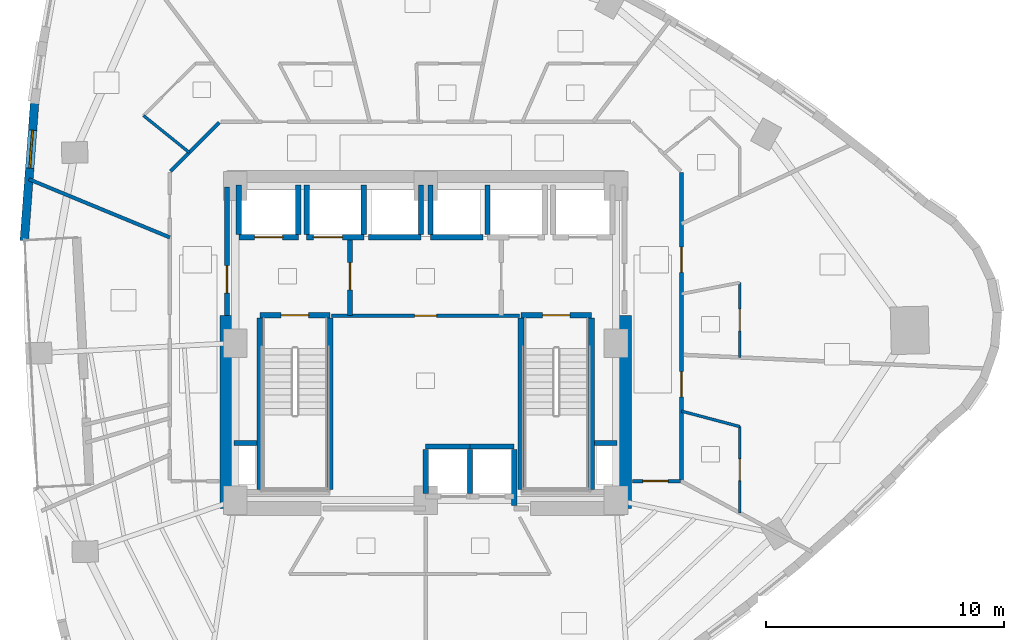
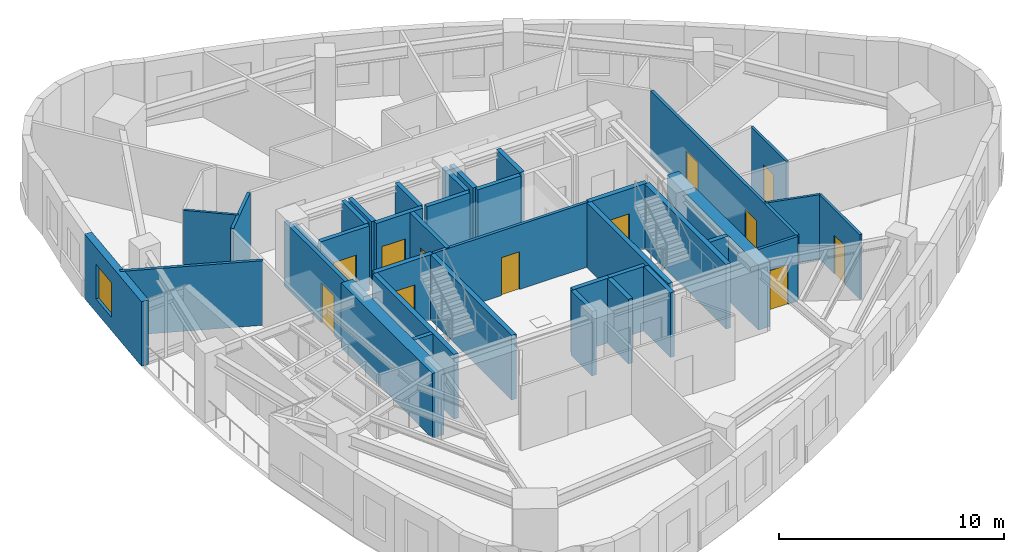
# One storey, part 6 of 12: 38 walls, 12 doors, 1 window, 13 openings.
"""IFC4 building model written with IfcOpenShell, lengths in metres."""

from ifc_helpers import new_model, si_unit, direction, frame, frame_2d, origin, place, context, subcontext, project, spatial, rectangle, extrude, material, layer, layer_set, type_object, element, fill, save


model = new_model("IFC4")

# Units and contexts
model_context = context("Model", 3, precision=1e-05, world=origin(), true_north=direction((0.0, 1.0)))
body_context = subcontext(model_context, "Body", "Model", "MODEL_VIEW")
ifc_project = project(units=[si_unit("LENGTHUNIT", "METRE"), si_unit("AREAUNIT", "SQUARE_METRE"), si_unit("VOLUMEUNIT", "CUBIC_METRE"), si_unit("PLANEANGLEUNIT", "RADIAN"), si_unit("MASSUNIT", "GRAM", prefix="KILO")], contexts=[model_context])

# Site, building, storey
site_placement = place(None, origin())
site = spatial("IfcSite", under=ifc_project, at=site_placement, CompositionType="ELEMENT")
building_placement = place(site_placement, origin())
building = spatial("IfcBuilding", under=site, at=building_placement, Name="Ndelora Gate Hotel", CompositionType="ELEMENT")
storey_placement = place(building_placement, frame((0.0, 0.0, 138.5)))
storey = spatial("IfcBuildingStorey", under=building, at=storey_placement, Name="L34", CompositionType="ELEMENT", Elevation=138.5)

# Wall, opening, window
ifc_material_1 = material(Name="Clay Brick Masonry", Category="masonry")
ifc_layer_1 = layer(ifc_material_1, 0.360107421875)
ifc_layer_set_1 = layer_set([ifc_layer_1], Name="Clay Brick Masonry")
wall_type_1 = type_object("IfcWallType", Name="WL-BRICK-360", PredefinedType="SOLIDWALL", material=ifc_layer_set_1)
wall_1_placement = place(storey_placement, frame((-16.866943359375, 4.29833984375, 0.0), z_axis=(0.0, 0.0, 1.0), x_axis=(0.074873276991, 0.997193056731, 0.0)))
wall_1 = element("IfcWall", 1, at=wall_1_placement, inside=storey, type_object=wall_type_1, Name="L34 Tower Brick Pier-and-Spandrel Wall TWR-11", PredefinedType="SOLIDWALL", context=body_context, shape_type="SweptSolid", body=[
    extrude(rectangle(XDim=5.826904296875, YDim=0.360107421875, at=frame_2d((2.91357421875, 0.0))), origin(), (0.0, 0.0, 1.0), 3.5),
])
opening_1_placement = place(wall_1_placement, frame((3.06005859375, 0.0, 0.719970703125)))
opening_1 = element("IfcOpeningElement", 2, at=opening_1_placement, cuts=wall_1, Name="Opening W01", PredefinedType="OPENING", context=body_context, shape_type="SweptSolid", body=[
    extrude(rectangle(XDim=1.60009765625, YDim=1.8798828125, at=frame_2d((0.800048828125, 0.93994140625))), frame((0.0, 0.18994140625, 0.0), z_axis=(0.0, -1.0, 0.0), x_axis=(1.0, 0.0, 0.0)), (0.0, 0.0, 1.0), 0.380126953125),
])
ifc_material_2 = material(Name="Insulated Low-E Double Glazing in Bronze Aluminium Frame", Category="aluminium")
window_type = type_object("IfcWindowType", Name="WN-DEEP-1600", PartitioningType="SINGLE_PANEL", PredefinedType="WINDOW", material=ifc_material_2)
window_placement = place(opening_1_placement, origin())
window = element("IfcWindow", 3, at=window_placement, inside=storey, type_object=window_type, Name="L34 Deep-Set Brick-Pier Window W01", OverallHeight=1.8798828125, OverallWidth=1.60009765625, PartitioningType="SINGLE_PANEL", PredefinedType="WINDOW", context=body_context, shape_type="SweptSolid", body=[
    extrude(rectangle(XDim=1.60009765625, YDim=1.8798828125, at=frame_2d((0.800048828125, 0.93994140625))), frame((0.0, 0.030029296875, 0.0), z_axis=(0.0, -1.0, 0.0), x_axis=(1.0, 0.0, 0.0)), (0.0, 0.0, 1.0), 0.06005859375),
])
fill(opening_1, window)

# Walls
ifc_material_3 = material(Name="Concrete C60/75", Category="concrete")
ifc_layer_2 = layer(ifc_material_3, 0.60009765625)
ifc_layer_set_2 = layer_set([ifc_layer_2], Name="Concrete C60/75")
wall_type_2 = type_object("IfcWallType", Name="WL-CORE-600", PredefinedType="SHEAR", material=ifc_layer_set_2)
for number, where, z_axis, x_axis, name in (
    (4, (-8.35009765625, -6.949951171875, 0.0), (0.0, 0.0, 1.0), (0.0, 1.0, 0.0), "L34 Core Shear Wall W"),
    (5, (8.35009765625, -6.949951171875, 0.0), (0.0, 0.0, 1.0), (0.0, 1.0, 0.0), "L34 Core Shear Wall E"),
):
    element("IfcWall", number, at=place(storey_placement, frame(where, z_axis=z_axis, x_axis=x_axis)), inside=storey, type_object=wall_type_2, Name=name, PredefinedType="SHEAR", context=body_context, shape_type="SweptSolid", body=[
        extrude(rectangle(XDim=8.099853515625, YDim=0.60009765625, at=frame_2d((4.0498046875, 0.0))), origin(), (0.0, 0.0, 1.0), 3.5),
    ])

# Wall, opening, door
ifc_material_4 = material(Name="Concrete C40/50", Category="concrete")
ifc_layer_3 = layer(ifc_material_4, 0.199951171875)
ifc_layer_set_3 = layer_set([ifc_layer_3], Name="Concrete C40/50")
wall_type_3 = type_object("IfcWallType", Name="WL-FIRE-200", PredefinedType="PARTITIONING", material=ifc_layer_set_3)
wall_2_placement = place(storey_placement, frame((-3.179931640625, 1.14990234375, 0.0), z_axis=(0.0, 0.0, 1.0), x_axis=(0.0, 1.0, 0.0)))
wall_2 = element("IfcWall", 6, at=wall_2_placement, inside=storey, type_object=wall_type_3, Name="L34 Interior Wall IW-2", PredefinedType="PARTITIONING", context=body_context, shape_type="SweptSolid", body=[
    extrude(rectangle(XDim=3.300048828125, YDim=0.199951171875, at=frame_2d((1.64990234375, 0.0))), origin(), (0.0, 0.0, 1.0), 3.5),
])
opening_2_placement = place(wall_2_placement, frame((1.080078125, 0.0, 0.0)))
opening_2 = element("IfcOpeningElement", 7, at=opening_2_placement, cuts=wall_2, Name="Opening FD1", PredefinedType="OPENING", context=body_context, shape_type="SweptSolid", body=[
    extrude(rectangle(XDim=1.14990234375, YDim=2.14990234375, at=frame_2d((0.574951171875, 1.074951171875))), frame((0.0, 0.10986328125, 0.0), z_axis=(0.0, -1.0, 0.0), x_axis=(1.0, 0.0, 0.0)), (0.0, 0.0, 1.0), 0.219970703125),
])
ifc_material_5 = material(Name="Fire-Rated Timber-Veneer Steel Core", Category="steel")
door_type_1 = type_object("IfcDoorType", Name="DR-FD60", OperationType="SINGLE_SWING_LEFT", PredefinedType="DOOR", material=ifc_material_5)
door_1_placement = place(opening_2_placement, origin())
door_1 = element("IfcDoor", 8, at=door_1_placement, inside=storey, type_object=door_type_1, Name="L34 Firefighting Lobby West Door", OperationType="SINGLE_SWING_RIGHT", OverallHeight=2.14990234375, OverallWidth=1.14990234375, PredefinedType="DOOR", context=body_context, shape_type="SweptSolid", body=[
    extrude(rectangle(XDim=1.14990234375, YDim=2.14990234375, at=frame_2d((0.574951171875, 1.074951171875))), frame((0.0, 0.02490234375, 0.0), z_axis=(0.0, -1.0, 0.0), x_axis=(1.0, 0.0, 0.0)), (0.0, 0.0, 1.0), 0.050048828125),
])
fill(opening_2, door_1)

wall_3_placement = place(storey_placement, frame((-8.35009765625, 1.14990234375, 0.0), z_axis=(0.0, 0.0, 1.0), x_axis=(0.0, 1.0, 0.0)))
wall_3 = element("IfcWall", 9, at=wall_3_placement, inside=storey, type_object=wall_type_3, Name="L34 Interior Wall IW-2", PredefinedType="PARTITIONING", context=body_context, shape_type="SweptSolid", body=[
    extrude(rectangle(XDim=5.400146484375, YDim=0.199951171875, at=frame_2d((2.7001953125, 0.0))), origin(), (0.0, 0.0, 1.0), 3.5),
])
opening_3_placement = place(wall_3_placement, frame((0.949951171875, 0.0, 0.0)))
opening_3 = element("IfcOpeningElement", 10, at=opening_3_placement, cuts=wall_3, Name="Opening FD1", PredefinedType="OPENING", context=body_context, shape_type="SweptSolid", body=[
    extrude(rectangle(XDim=1.14990234375, YDim=2.14990234375, at=frame_2d((0.574951171875, 1.074951171875))), frame((0.0, 0.10986328125, 0.0), z_axis=(0.0, -1.0, 0.0), x_axis=(1.0, 0.0, 0.0)), (0.0, 0.0, 1.0), 0.219970703125),
])
door_2_placement = place(opening_3_placement, origin())
door_2 = element("IfcDoor", 11, at=door_2_placement, inside=storey, type_object=door_type_1, Name="L34 Firefighting Lobby West Corridor Door", OperationType="SINGLE_SWING_LEFT", OverallHeight=2.14990234375, OverallWidth=1.14990234375, PredefinedType="DOOR", context=body_context, shape_type="SweptSolid", body=[
    extrude(rectangle(XDim=1.14990234375, YDim=2.14990234375, at=frame_2d((0.574951171875, 1.074951171875))), frame((0.0, 0.02490234375, 0.0), z_axis=(0.0, -1.0, 0.0), x_axis=(1.0, 0.0, 0.0)), (0.0, 0.0, 1.0), 0.050048828125),
])
fill(opening_3, door_2)

ifc_material_6 = material(Name="Fire-Rated Gypsum Stud Partition", Category="gypsum")
ifc_layer_4 = layer(ifc_material_6, 0.14990234375)
ifc_layer_set_4 = layer_set([ifc_layer_4], Name="Fire-Rated Gypsum Stud Partition")
wall_type_4 = type_object("IfcWallType", Name="WL-PART-150", PredefinedType="PARTITIONING", material=ifc_layer_set_4)
wall_4_placement = place(storey_placement, frame((3.949951171875, 1.14990234375, 0.0), z_axis=(0.0, 0.0, 1.0), x_axis=(-1.0, 0.0, 0.0)))
wall_4 = element("IfcWall", 12, at=wall_4_placement, inside=storey, type_object=wall_type_4, Name="L34 Interior Wall IW-5", PredefinedType="PARTITIONING", context=body_context, shape_type="SweptSolid", body=[
    extrude(rectangle(XDim=7.89990234375, YDim=0.14990234375, at=frame_2d((3.949951171875, 0.0))), origin(), (0.0, 0.0, 1.0), 3.5),
])
opening_4_placement = place(wall_4_placement, frame((3.489990234375, 0.0, 0.0)))
opening_4 = element("IfcOpeningElement", 13, at=opening_4_placement, cuts=wall_4, Name="Opening D04", PredefinedType="OPENING", context=body_context, shape_type="SweptSolid", body=[
    extrude(rectangle(XDim=0.919921875, YDim=2.050048828125, at=frame_2d((0.4599609375, 1.02490234375))), frame((0.0, 0.0849609375, 0.0), z_axis=(0.0, -1.0, 0.0), x_axis=(1.0, 0.0, 0.0)), (0.0, 0.0, 1.0), 0.169921875),
])
ifc_material_7 = material(Name="Painted Steel Core Service Door", Category="steel")
door_type_2 = type_object("IfcDoorType", Name="DR-SER-920", OperationType="SINGLE_SWING_LEFT", PredefinedType="DOOR", material=ifc_material_7)
door_3_placement = place(opening_4_placement, origin())
door_3 = element("IfcDoor", 14, at=door_3_placement, inside=storey, type_object=door_type_2, Name="L34 Core Electrical and Linen Service Store Door", OperationType="SINGLE_SWING_LEFT", OverallHeight=2.050048828125, OverallWidth=0.919921875, PredefinedType="DOOR", context=body_context, shape_type="SweptSolid", body=[
    extrude(rectangle(XDim=0.919921875, YDim=2.050048828125, at=frame_2d((0.4599609375, 1.02490234375))), frame((0.0, 0.02490234375, 0.0), z_axis=(0.0, -1.0, 0.0), x_axis=(1.0, 0.0, 0.0)), (0.0, 0.0, 1.0), 0.050048828125),
])
fill(opening_4, door_3)

wall_5_placement = place(storey_placement, frame((10.7099609375, -5.800048828125, 0.0), z_axis=(0.0, 0.0, 1.0), x_axis=(-1.0, 0.0, 0.0)))
wall_5 = element("IfcWall", 15, at=wall_5_placement, inside=storey, type_object=wall_type_4, Name="L34 Interior Wall IW-5", PredefinedType="PARTITIONING", context=body_context, shape_type="SweptSolid", body=[
    extrude(rectangle(XDim=2.02001953125, YDim=0.14990234375, at=frame_2d((1.010009765625, 0.0))), origin(), (0.0, 0.0, 1.0), 3.5),
])
opening_5_placement = place(wall_5_placement, frame((0.52001953125, 0.0, 0.0)))
opening_5 = element("IfcOpeningElement", 16, at=opening_5_placement, cuts=wall_5, Name="Opening D07", PredefinedType="OPENING", context=body_context, shape_type="SweptSolid", body=[
    extrude(rectangle(XDim=1.06005859375, YDim=2.14990234375, at=frame_2d((0.530029296875, 1.074951171875))), frame((0.0, 0.0849609375, 0.0), z_axis=(0.0, -1.0, 0.0), x_axis=(1.0, 0.0, 0.0)), (0.0, 0.0, 1.0), 0.169921875),
])
ifc_material_8 = material(Name="Diplomatic Suite Acoustic Entrance Door", Category="wood")
door_type_3 = type_object("IfcDoorType", Name="DR-SUITE-1060", OperationType="SINGLE_SWING_LEFT", PredefinedType="DOOR", material=ifc_material_8)
door_4_placement = place(opening_5_placement, origin())
door_4 = element("IfcDoor", 17, at=door_4_placement, inside=storey, type_object=door_type_3, Name="L34 Club King Corner Suite 3702 Entrance Door", OperationType="SINGLE_SWING_LEFT", OverallHeight=2.14990234375, OverallWidth=1.06005859375, PredefinedType="DOOR", context=body_context, shape_type="SweptSolid", body=[
    extrude(rectangle(XDim=1.06005859375, YDim=2.14990234375, at=frame_2d((0.530029296875, 1.074951171875))), frame((0.0, 0.02490234375, 0.0), z_axis=(0.0, -1.0, 0.0), x_axis=(1.0, 0.0, 0.0)), (0.0, 0.0, 1.0), 0.050048828125),
])
fill(opening_5, door_4)

# Wall, openings, doors
wall_6_placement = place(storey_placement, frame((10.75, 7.159912109375, 0.0), z_axis=(0.0, 0.0, 1.0), x_axis=(0.0, -1.0, 0.0)))
wall_6 = element("IfcWall", 18, at=wall_6_placement, inside=storey, type_object=wall_type_4, Name="L34 Interior Wall IW-5", PredefinedType="PARTITIONING", context=body_context, shape_type="SweptSolid", body=[
    extrude(rectangle(XDim=12.919921875, YDim=0.14990234375, at=frame_2d((6.4599609375, 0.0))), origin(), (0.0, 0.0, 1.0), 3.5),
])
opening_6_placement = place(wall_6_placement, frame((8.358642578125, 0.0, 0.0)))
opening_6 = element("IfcOpeningElement", 19, at=opening_6_placement, cuts=wall_6, Name="Opening D07", PredefinedType="OPENING", context=body_context, shape_type="SweptSolid", body=[
    extrude(rectangle(XDim=1.06005859375, YDim=2.14990234375, at=frame_2d((0.530029296875, 1.074951171875))), frame((0.0, 0.0849609375, 0.0), z_axis=(0.0, -1.0, 0.0), x_axis=(1.0, 0.0, 0.0)), (0.0, 0.0, 1.0), 0.169921875),
])
opening_7_placement = place(wall_6_placement, frame((3.13232421875, 0.0, 0.0)))
opening_7 = element("IfcOpeningElement", 20, at=opening_7_placement, cuts=wall_6, Name="Opening D07", PredefinedType="OPENING", context=body_context, shape_type="SweptSolid", body=[
    extrude(rectangle(XDim=1.06005859375, YDim=2.14990234375, at=frame_2d((0.530029296875, 1.074951171875))), frame((0.0, 0.0849609375, 0.0), z_axis=(0.0, -1.0, 0.0), x_axis=(1.0, 0.0, 0.0)), (0.0, 0.0, 1.0), 0.169921875),
])
door_5_placement = place(opening_6_placement, origin())
door_5 = element("IfcDoor", 21, at=door_5_placement, inside=storey, type_object=door_type_3, Name="L34 Corner Junior Suite 3703 Entrance Door", OperationType="SINGLE_SWING_LEFT", OverallHeight=2.14990234375, OverallWidth=1.06005859375, PredefinedType="DOOR", context=body_context, shape_type="SweptSolid", body=[
    extrude(rectangle(XDim=1.06005859375, YDim=2.14990234375, at=frame_2d((0.530029296875, 1.074951171875))), frame((0.0, 0.02490234375, 0.0), z_axis=(0.0, -1.0, 0.0), x_axis=(1.0, 0.0, 0.0)), (0.0, 0.0, 1.0), 0.050048828125),
])
fill(opening_6, door_5)
door_6_placement = place(opening_7_placement, origin())
door_6 = element("IfcDoor", 22, at=door_6_placement, inside=storey, type_object=door_type_3, Name="L34 Club Superior Junior Suite 3704 Entrance Door", OperationType="SINGLE_SWING_RIGHT", OverallHeight=2.14990234375, OverallWidth=1.06005859375, PredefinedType="DOOR", context=body_context, shape_type="SweptSolid", body=[
    extrude(rectangle(XDim=1.06005859375, YDim=2.14990234375, at=frame_2d((0.530029296875, 1.074951171875))), frame((0.0, 0.02490234375, 0.0), z_axis=(0.0, -1.0, 0.0), x_axis=(1.0, 0.0, 0.0)), (0.0, 0.0, 1.0), 0.050048828125),
])
fill(opening_7, door_6)

# Walls
wall_7_placement = place(storey_placement, frame((-10.7216796875, 7.228271484375, 0.0), z_axis=(0.0, 0.0, 1.0), x_axis=(0.707106781187, 0.707106781187, 0.0)))
element("IfcWall", 23, at=wall_7_placement, inside=storey, type_object=wall_type_4, Name="L34 Interior Wall IW-5", PredefinedType="PARTITIONING", context=body_context, shape_type="SweptSolid", body=[
    extrude(rectangle(XDim=2.889892578125, YDim=0.14990234375, at=frame_2d((1.44482421875, 0.0))), origin(), (0.0, 0.0, 1.0), 3.5),
])
wall_8_placement = place(storey_placement, frame((-10.75, 4.437744140625, 0.0), z_axis=(0.0, 0.0, 1.0), x_axis=(-0.924334473985, 0.381583254615, 0.0)))
element("IfcWall", 24, at=wall_8_placement, inside=storey, type_object=wall_type_4, Name="L34 Interior Wall IW-5", PredefinedType="PARTITIONING", context=body_context, shape_type="SweptSolid", body=[
    extrude(rectangle(XDim=6.40771484375, YDim=0.14990234375, at=frame_2d((3.203857421875, 0.0))), origin(), (0.0, 0.0, 1.0), 3.5),
])
ifc_layer_5 = layer(ifc_material_4, 0.219970703125)
ifc_layer_set_5 = layer_set([ifc_layer_5], Name="Concrete C40/50")
wall_type_5 = type_object("IfcWallType", Name="WL-SHAFT-220", PredefinedType="PARTITIONING", material=ifc_layer_set_5)
for number, where, z_axis, x_axis, name in (
    (25, (-8.050048828125, -4.199951171875, 0.0), (0.0, 0.0, 1.0), (1.0, 0.0, 0.0), "L34 Interior Wall IW-1"),
    (26, (7.090087890625, -4.199951171875, 0.0), (0.0, 0.0, 1.0), (1.0, 0.0, 0.0), "L34 Interior Wall IW-1"),
):
    element("IfcWall", number, at=place(storey_placement, frame(where, z_axis=z_axis, x_axis=x_axis)), inside=storey, type_object=wall_type_5, Name=name, PredefinedType="PARTITIONING", context=body_context, shape_type="SweptSolid", body=[
        extrude(rectangle(XDim=0.9599609375, YDim=0.219970703125, at=frame_2d((0.47998046875, 0.0))), origin(), (0.0, 0.0, 1.0), 3.5),
    ])

# Wall, opening, door
wall_9_placement = place(storey_placement, frame((-7.85009765625, 4.449951171875, 0.0), z_axis=(0.0, 0.0, 1.0), x_axis=(1.0, 0.0, 0.0)))
wall_9 = element("IfcWall", 27, at=wall_9_placement, inside=storey, type_object=wall_type_5, Name="L34 Interior Wall IW-1", PredefinedType="PARTITIONING", context=body_context, shape_type="SweptSolid", body=[
    extrude(rectangle(XDim=2.5, YDim=0.219970703125, at=frame_2d((1.25, 0.0))), origin(), (0.0, 0.0, 1.0), 3.5),
])
opening_8_placement = place(wall_9_placement, frame((0.659912109375, 0.0, 0.0)))
opening_8 = element("IfcOpeningElement", 28, at=opening_8_placement, cuts=wall_9, Name="Opening LD5", PredefinedType="OPENING", context=body_context, shape_type="SweptSolid", body=[
    extrude(rectangle(XDim=1.179931640625, YDim=2.14990234375, at=frame_2d((0.58984375, 1.074951171875))), frame((0.0, 0.1201171875, 0.0), z_axis=(0.0, -1.0, 0.0), x_axis=(1.0, 0.0, 0.0)), (0.0, 0.0, 1.0), 0.239990234375),
])
ifc_material_9 = material(Name="Firefighting Lift Stainless Sliding Landing Door", Category="metal")
door_type_4 = type_object("IfcDoorType", Name="DR-LD5", OperationType="DOUBLE_DOOR_SLIDING", PredefinedType="DOOR", material=ifc_material_9)
door_7_placement = place(opening_8_placement, origin())
door_7 = element("IfcDoor", 29, at=door_7_placement, inside=storey, type_object=door_type_4, Name="L34 Lift Landing Sliding Door FFL1", OperationType="DOUBLE_DOOR_SLIDING", OverallHeight=2.14990234375, OverallWidth=1.179931640625, PredefinedType="DOOR", context=body_context, shape_type="SweptSolid", body=[
    extrude(rectangle(XDim=1.179931640625, YDim=2.14990234375, at=frame_2d((0.58984375, 1.074951171875))), frame((0.0, 0.02490234375, 0.0), z_axis=(0.0, -1.0, 0.0), x_axis=(1.0, 0.0, 0.0)), (0.0, 0.0, 1.0), 0.050048828125),
])
fill(opening_8, door_7)

# Walls
wall_10_placement = place(storey_placement, frame((-7.85009765625, 4.570068359375, 0.0), z_axis=(0.0, 0.0, 1.0), x_axis=(0.0, 1.0, 0.0)))
element("IfcWall", 30, at=wall_10_placement, inside=storey, type_object=wall_type_5, Name="L34 Interior Wall IW-1", PredefinedType="PARTITIONING", context=body_context, shape_type="SweptSolid", body=[
    extrude(rectangle(XDim=2.079833984375, YDim=0.219970703125, at=frame_2d((1.0400390625, 0.0))), origin(), (0.0, 0.0, 1.0), 3.1201171875),
])
wall_11_placement = place(storey_placement, frame((-5.35009765625, 4.570068359375, 0.0), z_axis=(0.0, 0.0, 1.0), x_axis=(0.0, 1.0, 0.0)))
element("IfcWall", 31, at=wall_11_placement, inside=storey, type_object=wall_type_5, Name="L34 Interior Wall IW-1", PredefinedType="PARTITIONING", context=body_context, shape_type="SweptSolid", body=[
    extrude(rectangle(XDim=2.079833984375, YDim=0.219970703125, at=frame_2d((1.0400390625, 0.0))), origin(), (0.0, 0.0, 1.0), 3.5),
])

# Wall, opening, door
wall_12_placement = place(storey_placement, frame((-5.0, 4.449951171875, 0.0), z_axis=(0.0, 0.0, 1.0), x_axis=(1.0, 0.0, 0.0)))
wall_12 = element("IfcWall", 32, at=wall_12_placement, inside=storey, type_object=wall_type_5, Name="L34 Interior Wall IW-1", PredefinedType="PARTITIONING", context=body_context, shape_type="SweptSolid", body=[
    extrude(rectangle(XDim=2.39990234375, YDim=0.219970703125, at=frame_2d((1.199951171875, 0.0))), origin(), (0.0, 0.0, 1.0), 3.5),
])
opening_9_placement = place(wall_12_placement, frame((0.280029296875, 0.0, 0.0)))
opening_9 = element("IfcOpeningElement", 33, at=opening_9_placement, cuts=wall_12, Name="Opening LD6", PredefinedType="OPENING", context=body_context, shape_type="SweptSolid", body=[
    extrude(rectangle(XDim=1.219970703125, YDim=2.14990234375, at=frame_2d((0.60986328125, 1.074951171875))), frame((0.0, 0.1201171875, 0.0), z_axis=(0.0, -1.0, 0.0), x_axis=(1.0, 0.0, 0.0)), (0.0, 0.0, 1.0), 0.239990234375),
])
ifc_material_10 = material(Name="Heavy-Duty Service Lift Sliding Landing Door", Category="wood")
door_type_5 = type_object("IfcDoorType", Name="DR-LD6", OperationType="DOUBLE_DOOR_SLIDING", PredefinedType="DOOR", material=ifc_material_10)
door_8_placement = place(opening_9_placement, origin())
door_8 = element("IfcDoor", 34, at=door_8_placement, inside=storey, type_object=door_type_5, Name="L34 Lift Landing Sliding Door SVL1", OperationType="DOUBLE_DOOR_SLIDING", OverallHeight=2.14990234375, OverallWidth=1.219970703125, PredefinedType="DOOR", context=body_context, shape_type="SweptSolid", body=[
    extrude(rectangle(XDim=1.219970703125, YDim=2.14990234375, at=frame_2d((0.60986328125, 1.074951171875))), frame((0.0, 0.02490234375, 0.0), z_axis=(0.0, -1.0, 0.0), x_axis=(1.0, 0.0, 0.0)), (0.0, 0.0, 1.0), 0.050048828125),
])
fill(opening_9, door_8)

# Walls
for number, where, z_axis, x_axis, name in (
    (35, (-5.0, 4.570068359375, 0.0), (0.0, 0.0, 1.0), (0.0, 1.0, 0.0), "L34 Interior Wall IW-1"),
    (36, (-2.60009765625, 4.570068359375, 0.0), (0.0, 0.0, 1.0), (0.0, 1.0, 0.0), "L34 Interior Wall IW-1"),
    (37, (2.60009765625, 4.570068359375, 0.0), (0.0, 0.0, 1.0), (0.0, 1.0, 0.0), "L34 Interior Wall IW-1"),
):
    element("IfcWall", number, at=place(storey_placement, frame(where, z_axis=z_axis, x_axis=x_axis)), inside=storey, type_object=wall_type_5, Name=name, PredefinedType="PARTITIONING", context=body_context, shape_type="SweptSolid", body=[
        extrude(rectangle(XDim=2.079833984375, YDim=0.219970703125, at=frame_2d((1.0400390625, 0.0))), origin(), (0.0, 0.0, 1.0), 3.5),
    ])
for number, where, z_axis, x_axis, name in (
    (38, (0.0, -4.35009765625, 0.0), (0.0, 0.0, 1.0), (1.0, 0.0, 0.0), "L34 Interior Wall IW-1"),
    (39, (0.0, -6.330078125, 0.0), (0.0, 0.0, 1.0), (0.0, 1.0, 0.0), "L34 Interior Wall IW-1"),
    (40, (1.860107421875, -6.330078125, 0.0), (0.0, 0.0, 1.0), (0.0, 1.0, 0.0), "L34 Interior Wall IW-1"),
):
    element("IfcWall", number, at=place(storey_placement, frame(where, z_axis=z_axis, x_axis=x_axis)), inside=storey, type_object=wall_type_5, Name=name, PredefinedType="PARTITIONING", context=body_context, shape_type="SweptSolid", body=[
        extrude(rectangle(XDim=1.860107421875, YDim=0.219970703125, at=frame_2d((0.93017578125, 0.0))), origin(), (0.0, 0.0, 1.0), 3.5),
    ])
wall_13_placement = place(storey_placement, frame((1.860107421875, -4.35009765625, 0.0), z_axis=(0.0, 0.0, 1.0), x_axis=(1.0, 0.0, 0.0)))
element("IfcWall", 41, at=wall_13_placement, inside=storey, type_object=wall_type_5, Name="L34 Interior Wall IW-1", PredefinedType="PARTITIONING", context=body_context, shape_type="SweptSolid", body=[
    extrude(rectangle(XDim=1.85986328125, YDim=0.219970703125, at=frame_2d((0.929931640625, 0.0))), origin(), (0.0, 0.0, 1.0), 3.5),
])
wall_14_placement = place(storey_placement, frame((3.719970703125, -6.830078125, 0.0), z_axis=(0.0, 0.0, 1.0), x_axis=(0.0, 1.0, 0.0)))
element("IfcWall", 42, at=wall_14_placement, inside=storey, type_object=wall_type_5, Name="L34 Interior Wall IW-1", PredefinedType="PARTITIONING", context=body_context, shape_type="SweptSolid", body=[
    extrude(rectangle(XDim=2.360107421875, YDim=0.219970703125, at=frame_2d((1.18017578125, 0.0))), origin(), (0.0, 0.0, 1.0), 3.5),
])
wall_15_placement = place(storey_placement, frame((-2.39990234375, 4.449951171875, 0.0), z_axis=(0.0, 0.0, 1.0), x_axis=(1.0, 0.0, 0.0)))
element("IfcWall", 43, at=wall_15_placement, inside=storey, type_object=wall_type_5, Name="L34 Interior Wall IW-1", PredefinedType="PARTITIONING", context=body_context, shape_type="SweptSolid", body=[
    extrude(rectangle(XDim=2.199951171875, YDim=0.219970703125, at=frame_2d((1.10009765625, 0.0))), origin(), (0.0, 0.0, 1.0), 3.5),
])
wall_16_placement = place(storey_placement, frame((-0.199951171875, 4.570068359375, 0.0), z_axis=(0.0, 0.0, 1.0), x_axis=(0.0, 1.0, 0.0)))
element("IfcWall", 44, at=wall_16_placement, inside=storey, type_object=wall_type_5, Name="L34 Interior Wall IW-1", PredefinedType="PARTITIONING", context=body_context, shape_type="SweptSolid", body=[
    extrude(rectangle(XDim=2.079833984375, YDim=0.219970703125, at=frame_2d((1.0400390625, 0.0))), origin(), (0.0, 0.0, 1.0), 3.5),
])
wall_17_placement = place(storey_placement, frame((0.199951171875, 4.449951171875, 0.0), z_axis=(0.0, 0.0, 1.0), x_axis=(1.0, 0.0, 0.0)))
element("IfcWall", 45, at=wall_17_placement, inside=storey, type_object=wall_type_5, Name="L34 Interior Wall IW-1", PredefinedType="PARTITIONING", context=body_context, shape_type="SweptSolid", body=[
    extrude(rectangle(XDim=2.199951171875, YDim=0.219970703125, at=frame_2d((1.10009765625, 0.0))), origin(), (0.0, 0.0, 1.0), 3.5),
])
wall_18_placement = place(storey_placement, frame((0.199951171875, 4.570068359375, 0.0), z_axis=(0.0, 0.0, 1.0), x_axis=(0.0, 1.0, 0.0)))
element("IfcWall", 46, at=wall_18_placement, inside=storey, type_object=wall_type_5, Name="L34 Interior Wall IW-1", PredefinedType="PARTITIONING", context=body_context, shape_type="SweptSolid", body=[
    extrude(rectangle(XDim=2.079833984375, YDim=0.219970703125, at=frame_2d((1.0400390625, 0.0))), origin(), (0.0, 0.0, 1.0), 3.5),
])
ifc_material_11 = material(Name="Concrete C50/60", Category="concrete")
ifc_layer_6 = layer(ifc_material_11, 0.239990234375)
ifc_layer_set_6 = layer_set([ifc_layer_6], Name="Concrete C50/60")
wall_type_6 = type_object("IfcWallType", Name="WL-STAIR-240", PredefinedType="SHEAR", material=ifc_layer_set_6)
for number, where, z_axis, x_axis, name in (
    (47, (-6.969970703125, -6.159912109375, 0.0), (0.0, 0.0, 1.0), (0.0, 1.0, 0.0), "L34 Stair Core Shear Wall SW-ST"),
    (48, (-4.010009765625, -6.159912109375, 0.0), (0.0, 0.0, 1.0), (0.0, 1.0, 0.0), "L34 Stair Core Shear Wall SW-ST"),
):
    element("IfcWall", number, at=place(storey_placement, frame(where, z_axis=z_axis, x_axis=x_axis)), inside=storey, type_object=wall_type_6, Name=name, PredefinedType="SHEAR", context=body_context, shape_type="SweptSolid", body=[
        extrude(rectangle(XDim=7.219970703125, YDim=0.239990234375, at=frame_2d((3.60986328125, 0.0))), origin(), (0.0, 0.0, 1.0), 3.5),
    ])

# Wall, opening, door
wall_19_placement = place(storey_placement, frame((-6.969970703125, 1.169921875, 0.0), z_axis=(0.0, 0.0, 1.0), x_axis=(1.0, 0.0, 0.0)))
wall_19 = element("IfcWall", 49, at=wall_19_placement, inside=storey, type_object=wall_type_6, Name="L34 Stair Core Shear Wall SW-ST", PredefinedType="SHEAR", context=body_context, shape_type="SweptSolid", body=[
    extrude(rectangle(XDim=2.9599609375, YDim=0.239990234375, at=frame_2d((1.47998046875, 0.0))), origin(), (0.0, 0.0, 1.0), 3.5),
])
opening_10_placement = place(wall_19_placement, frame((0.89990234375, 0.0, 0.0)))
opening_10 = element("IfcOpeningElement", 50, at=opening_10_placement, cuts=wall_19, Name="Opening FD1", PredefinedType="OPENING", context=body_context, shape_type="SweptSolid", body=[
    extrude(rectangle(XDim=1.14990234375, YDim=2.14990234375, at=frame_2d((0.574951171875, 1.074951171875))), frame((0.0, 0.1298828125, 0.0), z_axis=(0.0, -1.0, 0.0), x_axis=(1.0, 0.0, 0.0)), (0.0, 0.0, 1.0), 0.260009765625),
])
door_9_placement = place(opening_10_placement, origin())
door_9 = element("IfcDoor", 51, at=door_9_placement, inside=storey, type_object=door_type_1, Name="L34 Exit Stair ST4 Door", OperationType="SINGLE_SWING_LEFT", OverallHeight=2.14990234375, OverallWidth=1.14990234375, PredefinedType="DOOR", context=body_context, shape_type="SweptSolid", body=[
    extrude(rectangle(XDim=1.14990234375, YDim=2.14990234375, at=frame_2d((0.574951171875, 1.074951171875))), frame((0.0, 0.02490234375, 0.0), z_axis=(0.0, -1.0, 0.0), x_axis=(1.0, 0.0, 0.0)), (0.0, 0.0, 1.0), 0.050048828125),
])
fill(opening_10, door_9)

# Walls
for number, where, z_axis, x_axis, name in (
    (52, (4.010009765625, -6.159912109375, 0.0), (0.0, 0.0, 1.0), (0.0, 1.0, 0.0), "L34 Stair Core Shear Wall SW-ST"),
    (53, (6.969970703125, -6.159912109375, 0.0), (0.0, 0.0, 1.0), (0.0, 1.0, 0.0), "L34 Stair Core Shear Wall SW-ST"),
):
    element("IfcWall", number, at=place(storey_placement, frame(where, z_axis=z_axis, x_axis=x_axis)), inside=storey, type_object=wall_type_6, Name=name, PredefinedType="SHEAR", context=body_context, shape_type="SweptSolid", body=[
        extrude(rectangle(XDim=7.219970703125, YDim=0.239990234375, at=frame_2d((3.60986328125, 0.0))), origin(), (0.0, 0.0, 1.0), 3.5),
    ])

# Wall, opening, door
wall_20_placement = place(storey_placement, frame((4.010009765625, 1.169921875, 0.0), z_axis=(0.0, 0.0, 1.0), x_axis=(1.0, 0.0, 0.0)))
wall_20 = element("IfcWall", 54, at=wall_20_placement, inside=storey, type_object=wall_type_6, Name="L34 Stair Core Shear Wall SW-ST", PredefinedType="SHEAR", context=body_context, shape_type="SweptSolid", body=[
    extrude(rectangle(XDim=2.9599609375, YDim=0.239990234375, at=frame_2d((1.47998046875, 0.0))), origin(), (0.0, 0.0, 1.0), 3.5),
])
opening_11_placement = place(wall_20_placement, frame((0.89990234375, 0.0, 0.0)))
opening_11 = element("IfcOpeningElement", 55, at=opening_11_placement, cuts=wall_20, Name="Opening FD1", PredefinedType="OPENING", context=body_context, shape_type="SweptSolid", body=[
    extrude(rectangle(XDim=1.14990234375, YDim=2.14990234375, at=frame_2d((0.574951171875, 1.074951171875))), frame((0.0, 0.1298828125, 0.0), z_axis=(0.0, -1.0, 0.0), x_axis=(1.0, 0.0, 0.0)), (0.0, 0.0, 1.0), 0.260009765625),
])
door_10_placement = place(opening_11_placement, origin())
door_10 = element("IfcDoor", 56, at=door_10_placement, inside=storey, type_object=door_type_1, Name="L34 Exit Stair ST5 Door", OperationType="SINGLE_SWING_RIGHT", OverallHeight=2.14990234375, OverallWidth=1.14990234375, PredefinedType="DOOR", context=body_context, shape_type="SweptSolid", body=[
    extrude(rectangle(XDim=1.14990234375, YDim=2.14990234375, at=frame_2d((0.574951171875, 1.074951171875))), frame((0.0, 0.02490234375, 0.0), z_axis=(0.0, -1.0, 0.0), x_axis=(1.0, 0.0, 0.0)), (0.0, 0.0, 1.0), 0.050048828125),
])
fill(opening_11, door_10)

# Wall
ifc_material_12 = material(Name="Moisture-Resistant Bathroom Tile Partition", Category="gypsum")
ifc_layer_7 = layer(ifc_material_12, 0.1201171875)
ifc_layer_set_7 = layer_set([ifc_layer_7], Name="Moisture-Resistant Bathroom Tile Partition")
wall_type_7 = type_object("IfcWallType", Name="WL-WET-120", PredefinedType="PARTITIONING", material=ifc_layer_set_7)
wall_21_placement = place(storey_placement, frame((10.75, -2.8603515625, 0.0), z_axis=(0.0, 0.0, 1.0), x_axis=(0.966378640851, -0.257123166026, 0.0)))
element("IfcWall", 57, at=wall_21_placement, inside=storey, type_object=wall_type_7, Name="L34 Interior Wall IW-7", PredefinedType="PARTITIONING", context=body_context, shape_type="SweptSolid", body=[
    extrude(rectangle(XDim=2.53515625, YDim=0.1201171875, at=frame_2d((1.267578125, 0.0))), origin(), (0.0, 0.0, 1.0), 3.5),
])

# Wall, opening, door
wall_22_placement = place(storey_placement, frame((13.199951171875, -3.51220703125, 0.0), z_axis=(0.0, 0.0, 1.0), x_axis=(0.0, -1.0, 0.0)))
wall_22 = element("IfcWall", 58, at=wall_22_placement, inside=storey, type_object=wall_type_7, Name="L34 Interior Wall IW-7", PredefinedType="PARTITIONING", context=body_context, shape_type="SweptSolid", body=[
    extrude(rectangle(XDim=3.625, YDim=0.1201171875, at=frame_2d((1.8125, 0.0))), origin(), (0.0, 0.0, 1.0), 3.5),
])
opening_12_placement = place(wall_22_placement, frame((1.3525390625, 0.0, 0.0)))
opening_12 = element("IfcOpeningElement", 59, at=opening_12_placement, cuts=wall_22, Name="Opening D03", PredefinedType="OPENING", context=body_context, shape_type="SweptSolid", body=[
    extrude(rectangle(XDim=0.919921875, YDim=2.10009765625, at=frame_2d((0.4599609375, 1.050048828125))), frame((0.0, 0.070068359375, 0.0), z_axis=(0.0, -1.0, 0.0), x_axis=(1.0, 0.0, 0.0)), (0.0, 0.0, 1.0), 0.14013671875),
])
ifc_material_13 = material(Name="Moisture-Resistant Hardwood En-Suite Door", Category="wood")
door_type_6 = type_object("IfcDoorType", Name="DR-BATH-920", OperationType="SINGLE_SWING_LEFT", PredefinedType="DOOR", material=ifc_material_13)
door_11_placement = place(opening_12_placement, origin())
door_11 = element("IfcDoor", 60, at=door_11_placement, inside=storey, type_object=door_type_6, Name="L34 En-suite Bathroom 3703 Door", OperationType="SINGLE_SWING_RIGHT", OverallHeight=2.10009765625, OverallWidth=0.919921875, PredefinedType="DOOR", context=body_context, shape_type="SweptSolid", body=[
    extrude(rectangle(XDim=0.919921875, YDim=2.10009765625, at=frame_2d((0.4599609375, 1.050048828125))), frame((0.0, 0.02490234375, 0.0), z_axis=(0.0, -1.0, 0.0), x_axis=(1.0, 0.0, 0.0)), (0.0, 0.0, 1.0), 0.050048828125),
])
fill(opening_12, door_11)

wall_23_placement = place(storey_placement, frame((13.199951171875, 2.53662109375, 0.0), z_axis=(0.0, 0.0, 1.0), x_axis=(0.0, -1.0, 0.0)))
wall_23 = element("IfcWall", 61, at=wall_23_placement, inside=storey, type_object=wall_type_7, Name="L34 Interior Wall IW-7", PredefinedType="PARTITIONING", context=body_context, shape_type="SweptSolid", body=[
    extrude(rectangle(XDim=3.14111328125, YDim=0.1201171875, at=frame_2d((1.570556640625, 0.0))), origin(), (0.0, 0.0, 1.0), 3.5),
])
opening_13_placement = place(wall_23_placement, frame((1.110595703125, 0.0, 0.0)))
opening_13 = element("IfcOpeningElement", 62, at=opening_13_placement, cuts=wall_23, Name="Opening D03", PredefinedType="OPENING", context=body_context, shape_type="SweptSolid", body=[
    extrude(rectangle(XDim=0.919921875, YDim=2.10009765625, at=frame_2d((0.4599609375, 1.050048828125))), frame((0.0, 0.070068359375, 0.0), z_axis=(0.0, -1.0, 0.0), x_axis=(1.0, 0.0, 0.0)), (0.0, 0.0, 1.0), 0.14013671875),
])
door_12_placement = place(opening_13_placement, origin())
door_12 = element("IfcDoor", 63, at=door_12_placement, inside=storey, type_object=door_type_6, Name="L34 En-suite Bathroom 3704 Door", OperationType="SINGLE_SWING_LEFT", OverallHeight=2.10009765625, OverallWidth=0.919921875, PredefinedType="DOOR", context=body_context, shape_type="SweptSolid", body=[
    extrude(rectangle(XDim=0.919921875, YDim=2.10009765625, at=frame_2d((0.4599609375, 1.050048828125))), frame((0.0, 0.02490234375, 0.0), z_axis=(0.0, -1.0, 0.0), x_axis=(1.0, 0.0, 0.0)), (0.0, 0.0, 1.0), 0.050048828125),
])
fill(opening_13, door_12)

# Wall
wall_24_placement = place(storey_placement, frame((-11.857421875, 9.5576171875, 0.0), z_axis=(0.0, 0.0, 1.0), x_axis=(0.778601964437, -0.627518112069, 0.0)))
element("IfcWall", 64, at=wall_24_placement, inside=storey, type_object=wall_type_7, Name="L34 Interior Wall IW-7", PredefinedType="PARTITIONING", context=body_context, shape_type="SweptSolid", body=[
    extrude(rectangle(XDim=2.46435546875, YDim=0.1201171875, at=frame_2d((1.232177734375, 0.0))), origin(), (0.0, 0.0, 1.0), 3.5),
])

save(model, "model.ifc")
